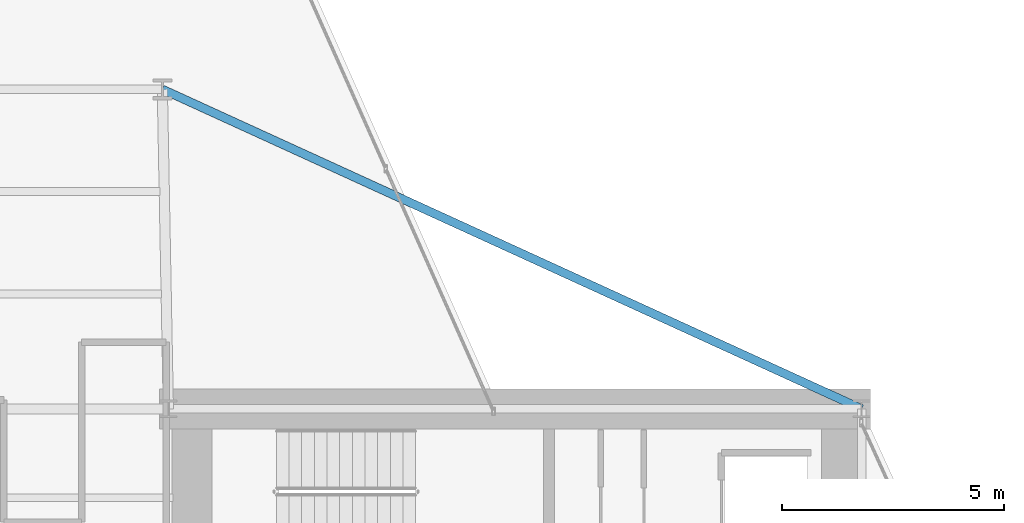
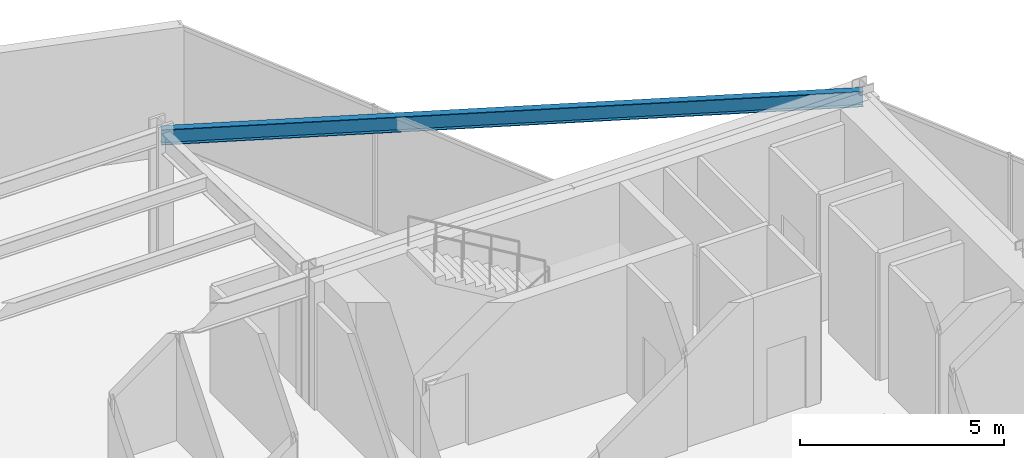
# One storey, part 14 of 23: 1 beam.
"""IFC4 building model written with IfcOpenShell, lengths in metres."""

from ifc_helpers import new_model, si_unit, direction, frame, origin, origin_2d, place, context, subcontext, project, spatial, i_section, extrude, material, material_profile, profile_set, type_object, element, save


model = new_model("IFC4")

# Units and contexts
model_context = context("Model", 3, precision=1e-05, world=origin(), true_north=direction((0.0, 1.0)))
body_context = subcontext(model_context, "Body", "Model", "MODEL_VIEW")
ifc_project = project(units=[si_unit("LENGTHUNIT", "METRE"), si_unit("AREAUNIT", "SQUARE_METRE"), si_unit("VOLUMEUNIT", "CUBIC_METRE"), si_unit("PLANEANGLEUNIT", "RADIAN"), si_unit("MASSUNIT", "GRAM", prefix="KILO")], contexts=[model_context])

# Site, building, storey
site_placement = place(None, origin())
site = spatial("IfcSite", under=ifc_project, at=site_placement, CompositionType="ELEMENT")
building_placement = place(site_placement, origin())
building = spatial("IfcBuilding", under=site, at=building_placement, Name="Veymaron Broadcast Tower", CompositionType="ELEMENT")
storey_placement = place(building_placement, frame((0.0, 0.0, 94.5)))
storey = spatial("IfcBuildingStorey", under=building, at=storey_placement, Name="L21", CompositionType="ELEMENT", Elevation=94.5)

# Beam
ifc_material = material(Name="Structural steel ASTM A992 Gr 50", Category="steel")
ifc_material_profile = material_profile(ifc_material, i_section(OverallWidth=0.19091796875, OverallDepth=0.4599609375, WebThickness=0.010009765625, FlangeThickness=0.01611328125, at=origin_2d()), Name="W460X82")
ifc_profile_set = profile_set([ifc_material_profile], Name="Structural steel ASTM A992 Gr 50")
beam_type = type_object("IfcBeamType", Name="BM-SP1", PredefinedType="SPANDREL", material=ifc_profile_set)
beam_placement = place(storey_placement, frame((54.60009765625, 32.0, 3.580078125), z_axis=(-0.909545509286, 0.415604338931, 0.0), x_axis=(-0.415604338931, -0.909545509286, 0.0)))
element("IfcBeam", 1, at=beam_placement, inside=storey, type_object=beam_type, Name="L21 primary structural floor girder", PredefinedType="SPANDREL", context=body_context, shape_type="SweptSolid", body=[
    extrude(i_section(OverallWidth=0.19091796875, OverallDepth=0.4599609375, WebThickness=0.010009765625, FlangeThickness=0.01611328125, at=origin_2d()), origin(), (0.0, 0.0, 1.0), 17.300048828125),
])

save(model, "model.ifc")
